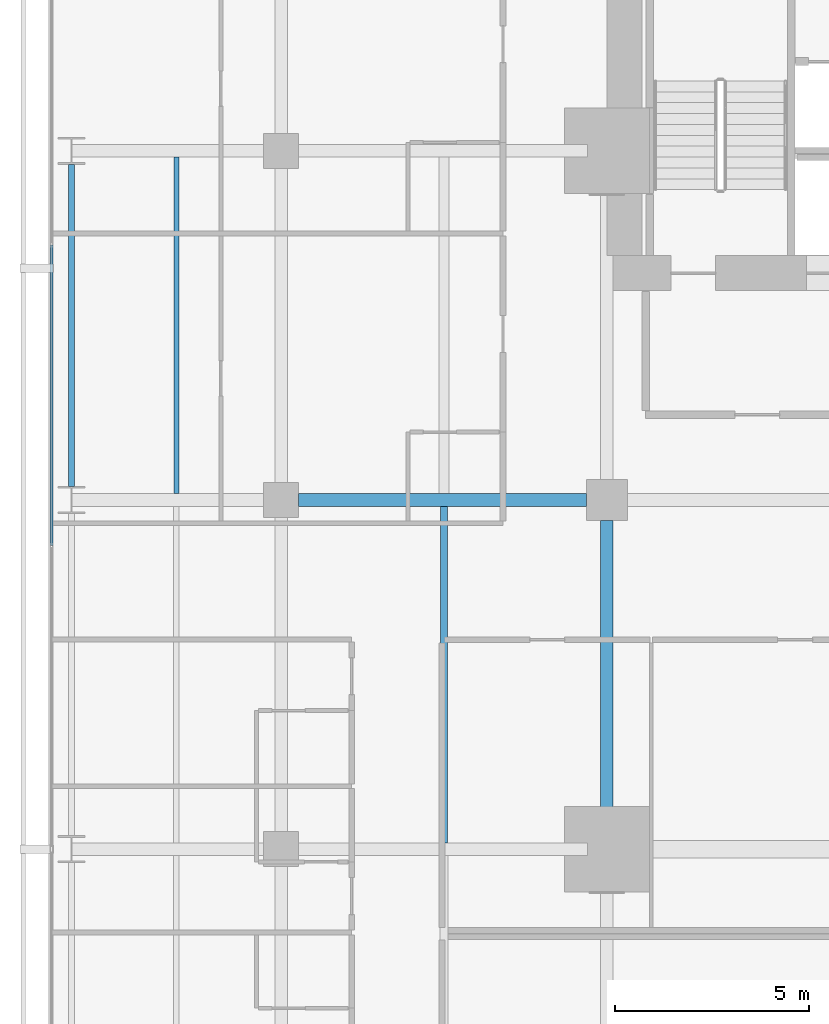
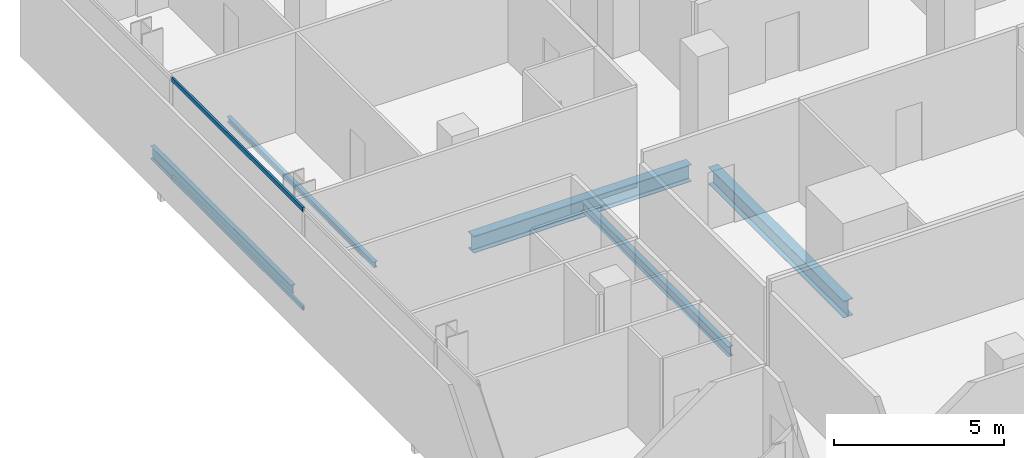
# One storey, part 22 of 40: 5 beams, 2 members, 1 element without a shape of its own.
"""IFC4 building model written with IfcOpenShell, lengths in metres."""

from ifc_helpers import new_model, si_unit, direction, frame, origin, origin_2d, place, context, subcontext, project, spatial, hollow_rectangle, i_section, extrude, material, layer, layer_set, material_profile, profile_set, type_object, element, aggregate, save


model = new_model("IFC4")

# Units and contexts
model_context = context("Model", 3, precision=1e-05, world=origin(), true_north=direction((0.0, 1.0)))
body_context = subcontext(model_context, "Body", "Model", "MODEL_VIEW")
ifc_project = project(units=[si_unit("LENGTHUNIT", "METRE"), si_unit("AREAUNIT", "SQUARE_METRE"), si_unit("VOLUMEUNIT", "CUBIC_METRE"), si_unit("PLANEANGLEUNIT", "RADIAN"), si_unit("MASSUNIT", "GRAM", prefix="KILO")], contexts=[model_context])

# Site, building, storey
site_placement = place(None, origin())
site = spatial("IfcSite", under=ifc_project, at=site_placement, CompositionType="ELEMENT")
building_placement = place(site_placement, origin())
building = spatial("IfcBuilding", under=site, at=building_placement, Name="Maruvema Waterfront Hotel and Observation Tower", CompositionType="ELEMENT")
storey_placement = place(building_placement, frame((0.0, 0.0, 100.10009765625)))
storey = spatial("IfcBuildingStorey", under=building, at=storey_placement, Name="L24", CompositionType="ELEMENT", Elevation=100.10009765625)

# Curtain wall, members
ifc_material_1 = material(Name="Anodised bronze aluminium and solar-control low-E IGU", Category="aluminium")
ifc_layer = layer(ifc_material_1, 0.159912109375, Name="Zone 1 Bronze Inner Thermal Curtain Wall System CW-02")
ifc_layer_set = layer_set([ifc_layer], Name="Anodised bronze aluminium and solar-control low-E IGU")
curtain_wall_type = type_object("IfcCurtainWallType", Name="Zone 1 Bronze Inner Thermal Curtain Wall System CW-02", PredefinedType="USERDEFINED", material=ifc_layer_set)
curtain_wall_placement = place(storey_placement, origin())
curtain_wall = element("IfcCurtainWall", 1, at=curtain_wall_placement, inside=storey, type_object=curtain_wall_type, Name="L24 Curtain Wall CW-L24-W", ObjectType="UNITISED CURTAIN WALL", PredefinedType="USERDEFINED")
ifc_material_2 = material(Name="Anodised architectural bronze aluminium", Category="aluminium")
ifc_material_profile_1 = material_profile(ifc_material_2, hollow_rectangle(XDim=0.070068359375, YDim=0.14990234375, WallThickness=0.00390625, at=origin_2d()), Name="ALU-T70x150")
ifc_profile_set_1 = profile_set([ifc_material_profile_1], Name="Anodised architectural bronze aluminium")
member_type = type_object("IfcMemberType", Name="Curtain Wall Horizontal Transom ALU-T70x150", PredefinedType="USERDEFINED", material=ifc_profile_set_1)
member_1_placement = place(storey_placement, frame((10.8798828125, 42.570068359375, 0.02978515625), z_axis=(0.0, -1.0, 0.0), x_axis=(1.0, 0.0, 0.0)))
member_1 = element("IfcMember", 2, at=member_1_placement, type_object=member_type, Name="CW-02 transom 2.1", ObjectType="TRANSOM", PredefinedType="USERDEFINED", context=body_context, shape_type="SweptSolid", body=[
    extrude(hollow_rectangle(XDim=0.070068359375, YDim=0.14990234375, WallThickness=0.00390625, at=origin_2d()), origin(), (0.0, 0.0, 1.0), 7.739990234375),
])
member_2_placement = place(storey_placement, frame((10.8798828125, 42.570068359375, 3.579833984375), z_axis=(0.0, -1.0, 0.0), x_axis=(1.0, 0.0, 0.0)))
member_2 = element("IfcMember", 3, at=member_2_placement, type_object=member_type, Name="CW-02 transom 2.2", ObjectType="TRANSOM", PredefinedType="USERDEFINED", context=body_context, shape_type="SweptSolid", body=[
    extrude(hollow_rectangle(XDim=0.070068359375, YDim=0.14990234375, WallThickness=0.00390625, at=origin_2d()), origin(), (0.0, 0.0, 1.0), 7.739990234375),
])
aggregate(curtain_wall, [member_1, member_2])

# Beams
ifc_material_3 = material(Name="Steel ASTM A572 Grade 50", Category="steel")
ifc_material_profile_2 = material_profile(ifc_material_3, i_section(OverallWidth=0.153076171875, OverallDepth=0.455078125, WebThickness=0.008056640625, FlangeThickness=0.01318359375, FilletRadius=0.014892578125, at=origin_2d()), Name="W460x60.0")
ifc_profile_set_2 = profile_set([ifc_material_profile_2], Name="Steel ASTM A572 Grade 50")
beam_type_1 = type_object("IfcBeamType", Name="Perimeter Spandrel Beam W460x60.0", PredefinedType="SPANDREL", material=ifc_profile_set_2)
beam_1_placement = place(storey_placement, frame((11.39990234375, 36.35009765625, -0.467529296875), z_axis=(0.0, 1.0, 0.0), x_axis=(-1.0, 0.0, 0.0)))
element("IfcBeam", 4, at=beam_1_placement, inside=storey, type_object=beam_type_1, Name="L24 Floor Girder NS-04", PredefinedType="SPANDREL", context=body_context, shape_type="SweptSolid", body=[
    extrude(i_section(OverallWidth=0.153076171875, OverallDepth=0.455078125, WebThickness=0.008056640625, FlangeThickness=0.01318359375, FilletRadius=0.014892578125, at=origin_2d()), origin(), (0.0, 0.0, 1.0), 8.2998046875),
])
ifc_material_4 = material(Name="Steel ASTM A572 Grade 50", Category="steel")
ifc_material_profile_3 = material_profile(ifc_material_4, i_section(OverallWidth=0.323974609375, OverallDepth=0.611083984375, WebThickness=0.0126953125, FlangeThickness=0.01904296875, FilletRadius=0.01806640625, at=origin_2d()), Name="W610x155.0")
ifc_profile_set_3 = profile_set([ifc_material_profile_3], Name="Steel ASTM A572 Grade 50")
beam_type_2 = type_object("IfcBeamType", Name="Primary Floor Girder W610x155.0", PredefinedType="BEAM", material=ifc_profile_set_3)
beam_2_placement = place(storey_placement, frame((17.25, 36.0, -0.545654296875), z_axis=(1.0, 0.0, 0.0), x_axis=(0.0, 1.0, 0.0)))
element("IfcBeam", 5, at=beam_2_placement, inside=storey, type_object=beam_type_2, Name="L24 Floor Girder EW-26", PredefinedType="BEAM", context=body_context, shape_type="SweptSolid", body=[
    extrude(i_section(OverallWidth=0.323974609375, OverallDepth=0.611083984375, WebThickness=0.0126953125, FlangeThickness=0.01904296875, FilletRadius=0.01806640625, at=origin_2d()), origin(), (0.0, 0.0, 1.0), 7.425048828125),
])
beam_3_placement = place(storey_placement, frame((25.199951171875, 27.5, -0.545654296875), z_axis=(0.0, 1.0, 0.0), x_axis=(-1.0, 0.0, 0.0)))
element("IfcBeam", 6, at=beam_3_placement, inside=storey, type_object=beam_type_2, Name="L24 Floor Girder NS-14", PredefinedType="BEAM", context=body_context, shape_type="SweptSolid", body=[
    extrude(i_section(OverallWidth=0.323974609375, OverallDepth=0.611083984375, WebThickness=0.0126953125, FlangeThickness=0.01904296875, FilletRadius=0.01806640625, at=origin_2d()), origin(), (0.0, 0.0, 1.0), 7.97509765625),
])
ifc_material_5 = material(Name="Steel ASTM A572 Grade 50", Category="steel")
ifc_material_profile_4 = material_profile(ifc_material_5, i_section(OverallWidth=0.133056640625, OverallDepth=0.20703125, WebThickness=0.005859375, FlangeThickness=0.00830078125, FilletRadius=0.010009765625, at=origin_2d()), Name="W200x26.6")
ifc_profile_set_4 = profile_set([ifc_material_profile_4], Name="Steel ASTM A572 Grade 50")
beam_type_3 = type_object("IfcBeamType", Name="Secondary Floor Joist W200x26.6", PredefinedType="JOIST", material=ifc_profile_set_4)
beam_4_placement = place(storey_placement, frame((14.10009765625, 36.162109375, -0.343505859375), z_axis=(0.0, 1.0, 0.0), x_axis=(-1.0, 0.0, 0.0)))
element("IfcBeam", 7, at=beam_4_placement, inside=storey, type_object=beam_type_3, Name="L24 Secondary Floor Joist JS-04", PredefinedType="JOIST", context=body_context, shape_type="SweptSolid", body=[
    extrude(i_section(OverallWidth=0.133056640625, OverallDepth=0.20703125, WebThickness=0.005859375, FlangeThickness=0.00830078125, FilletRadius=0.010009765625, at=origin_2d()), origin(), (0.0, 0.0, 1.0), 8.67578125),
])
ifc_material_6 = material(Name="Steel ASTM A572 Grade 50", Category="steel")
ifc_material_profile_5 = material_profile(ifc_material_6, i_section(OverallWidth=0.1708984375, OverallDepth=0.35498046875, WebThickness=0.007080078125, FlangeThickness=0.01171875, FilletRadius=0.014892578125, at=origin_2d()), Name="W360x51.0")
ifc_profile_set_5 = profile_set([ifc_material_profile_5], Name="Steel ASTM A572 Grade 50")
beam_type_4 = type_object("IfcBeamType", Name="Secondary Floor Joist W360x51.0", PredefinedType="JOIST", material=ifc_profile_set_5)
beam_5_placement = place(storey_placement, frame((21.0, 27.162109375, -0.41748046875), z_axis=(0.0, 1.0, 0.0), x_axis=(-1.0, 0.0, 0.0)))
element("IfcBeam", 8, at=beam_5_placement, inside=storey, type_object=beam_type_4, Name="L24 Secondary Floor Joist JS-08", PredefinedType="JOIST", context=body_context, shape_type="SweptSolid", body=[
    extrude(i_section(OverallWidth=0.1708984375, OverallDepth=0.35498046875, WebThickness=0.007080078125, FlangeThickness=0.01171875, FilletRadius=0.014892578125, at=origin_2d()), origin(), (0.0, 0.0, 1.0), 8.67578125),
])

save(model, "model.ifc")
